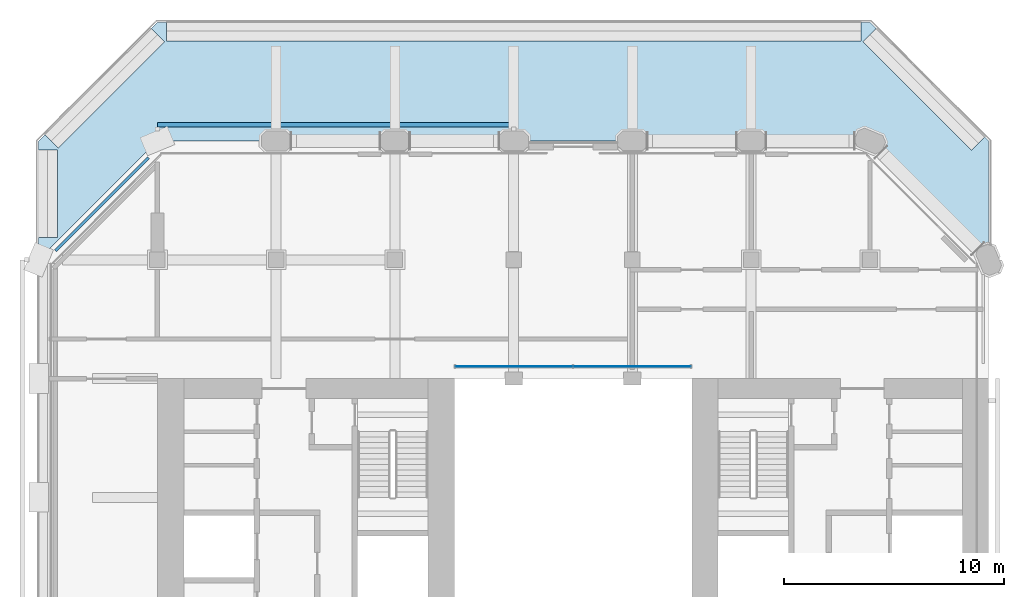
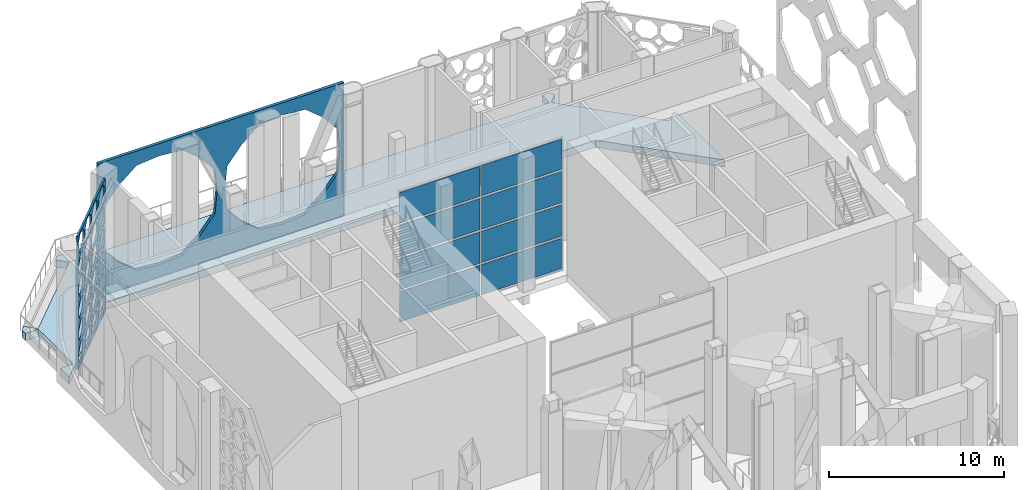
# One storey, part 7 of 28: 10 plates, 1 slab, 1 element without a shape of its own.
"""IFC4 building model written with IfcOpenShell, lengths in metres."""

import ifcopenshell
import ifcopenshell.guid

model = None  # the IFC model being written
_history = None  # IfcOwnerHistory: only IFC2X3 demands one
_inside = {}  # id of a spatial element -> (the spatial element, [elements in it])
_under = {}  # id of a project, library or spatial element -> (it, [spatial elements below it])
_declared = {}  # id of a project -> (the project, [libraries it declares])
_typed = {}  # id of a type object -> (the type object, [elements of that type])
_made_of = {}  # id of a material, layer set ... -> (it, [elements and type objects made of it])


def new_model(schema):
    """Start an empty IFC model of exactly this schema.

    Asked for "IFC4X3", IfcOpenShell would pick the latest addendum, in which some entities
    have other attributes; the version numbers below select the first issue.
    IFC2X3 requires an IfcOwnerHistory on every rooted entity: one is made here for all.
    """
    global model, _history
    if schema == "IFC4X3":
        model = ifcopenshell.file(schema_version=(4, 3, 0, 0))
    else:
        model = ifcopenshell.file(schema=schema)
    _inside.clear()
    _under.clear()
    _declared.clear()
    _typed.clear()
    _made_of.clear()
    _history = None
    if model.schema == "IFC2X3":
        org = make("IfcOrganization", Name="unknown")
        user = make(
            "IfcPersonAndOrganization",
            ThePerson=make("IfcPerson", FamilyName="unknown"),
            TheOrganization=org,
        )
        app = make(
            "IfcApplication",
            ApplicationDeveloper=org,
            Version="unknown",
            ApplicationFullName="unknown",
            ApplicationIdentifier="unknown",
        )
        _history = make(
            "IfcOwnerHistory",
            OwningUser=user,
            OwningApplication=app,
            ChangeAction="ADDED",
            CreationDate=0,
        )
    return model


def make(cls, **values):
    """One entity of the class cls with the attributes given. An attribute that is None is left unset."""
    return model.create_entity(
        cls, **{name: value for name, value in values.items() if value is not None}
    )


def rooted(cls, **values):
    """An entity with a GlobalId (a new one), such as an element, a storey or a relation."""
    return make(cls, GlobalId=ifcopenshell.guid.new(), OwnerHistory=_history, **values)


def si_unit(unit_type, name, prefix=None):
    """IfcSIUnit, for example si_unit("LENGTHUNIT", "METRE", prefix="MILLI")."""
    return make("IfcSIUnit", UnitType=unit_type, Prefix=prefix, Name=name)


def assignment(units):
    """IfcUnitAssignment: the units of a project."""
    return None if units is None else make("IfcUnitAssignment", Units=units)


def point(xyz):
    """IfcCartesianPoint."""
    return None if xyz is None else make("IfcCartesianPoint", Coordinates=xyz)


def direction(xyz):
    """IfcDirection."""
    return None if xyz is None else make("IfcDirection", DirectionRatios=xyz)


def frame(location, z_axis=None, x_axis=None):
    """IfcAxis2Placement3D, a coordinate frame: its origin and axes. An axis left out is left unset."""
    return make(
        "IfcAxis2Placement3D",
        Location=point(location),
        Axis=direction(z_axis),
        RefDirection=direction(x_axis),
    )


def frame_2d(location, x_axis=None):
    """IfcAxis2Placement2D, a coordinate frame in the plane: its origin and x axis."""
    return make(
        "IfcAxis2Placement2D", Location=point(location), RefDirection=direction(x_axis)
    )


def origin():
    """The frame at (0, 0, 0) with its axes left unset."""
    return frame((0.0, 0.0, 0.0))


def origin_2d():
    """The frame at (0, 0) in the plane with its x axis left unset."""
    return frame_2d((0.0, 0.0))


def place(relative_to, where):
    """IfcLocalPlacement: puts the frame where relative to a parent placement (None: the world)."""
    return make(
        "IfcLocalPlacement", PlacementRelTo=relative_to, RelativePlacement=where
    )


def context(
    kind, dimensions, precision=None, world=None, true_north=None, identifier=None
):
    """IfcGeometricRepresentationContext, for example the 3D "Model" context."""
    return make(
        "IfcGeometricRepresentationContext",
        ContextIdentifier=identifier,
        ContextType=kind,
        CoordinateSpaceDimension=dimensions,
        Precision=precision,
        WorldCoordinateSystem=world,
        TrueNorth=true_north,
    )


def subcontext(parent, identifier, kind, view, scale=None):
    """IfcGeometricRepresentationSubContext, for example "Body" below "Model"."""
    return make(
        "IfcGeometricRepresentationSubContext",
        ContextIdentifier=identifier,
        ContextType=kind,
        ParentContext=parent,
        TargetScale=scale,
        TargetView=view,
    )


def project(units=None, contexts=None):
    """IfcProject with its units and contexts."""
    return rooted(
        "IfcProject",
        Name="project",
        RepresentationContexts=contexts,
        UnitsInContext=assignment(units),
    )


def spatial(cls, under=None, at=None, **own):
    """A site, building, storey or space (cls), placed at a placement, below another one or the project."""
    s = rooted(cls, ObjectPlacement=at, **own)
    if under is not None:
        _under.setdefault(under.id(), (under, []))[1].append(s)
    return s


def polyline(points):
    """IfcPolyline through the points."""
    return make("IfcPolyline", Points=[point(p) for p in points])


def profile(cls, at=None, kind="AREA", **sizes):
    """A parametric profile (cls). Its sizes go by their IFC names, for example OverallWidth=200.0."""
    return make(cls, ProfileType=kind, Position=at, **sizes)


def rectangle(**sizes):
    """IfcRectangleProfileDef."""
    return profile("IfcRectangleProfileDef", **sizes)


def outline(outer, holes=None, kind="AREA"):
    """IfcArbitraryClosedProfileDef: a profile drawn as a closed curve; with holes, ...WithVoids."""
    if holes is None:
        return make("IfcArbitraryClosedProfileDef", ProfileType=kind, OuterCurve=outer)
    return make(
        "IfcArbitraryProfileDefWithVoids",
        ProfileType=kind,
        OuterCurve=outer,
        InnerCurves=holes,
    )


def extrude(swept, where, along, depth):
    """IfcExtrudedAreaSolid: the profile swept, set in the frame where, extruded along a direction by depth."""
    return make(
        "IfcExtrudedAreaSolid",
        SweptArea=swept,
        Position=where,
        ExtrudedDirection=direction(along),
        Depth=depth,
    )


def shape(context_of_items, identifier, shape_type, items):
    """IfcShapeRepresentation: the items that make up one representation, for example the "Body"."""
    return make(
        "IfcShapeRepresentation",
        ContextOfItems=context_of_items,
        RepresentationIdentifier=identifier,
        RepresentationType=shape_type,
        Items=items,
    )


def material(Name=None, Category=None):
    """IfcMaterial."""
    return make("IfcMaterial", Name=Name, Category=Category)


def layer(
    of_material, thickness, ventilated=None, Name=None, Category=None, Priority=None
):
    """IfcMaterialLayer: one layer of a wall or slab, of a material (None: an air gap)."""
    return make(
        "IfcMaterialLayer",
        Material=of_material,
        LayerThickness=thickness,
        IsVentilated=ventilated,
        Name=Name,
        Category=Category,
        Priority=Priority,
    )


def layer_set(layers, Name=None):
    """IfcMaterialLayerSet."""
    return make("IfcMaterialLayerSet", MaterialLayers=layers, LayerSetName=Name)


def made_of(thing, what):
    """Note that an element or type object is made of a material, layer set ...; save() writes the relation."""
    if what is not None:
        _made_of.setdefault(what.id(), (what, []))[1].append(thing)
    return thing


def type_object(cls, material=None, **own):
    """A type object (cls), such as IfcWallType, which elements share."""
    return made_of(rooted(cls, **own), material)


def element(
    cls,
    number,
    at=None,
    inside=None,
    cuts=None,
    type_object=None,
    material=None,
    context=None,
    identifier="Body",
    shape_type=None,
    held_by="IfcProductDefinitionShape",
    body=None,
    shapes=None,
    **own,
):
    """One element of the class cls, such as IfcWall. Its Tag is "e" and its number.

    at: its placement. inside: the storey or other place that contains it. cuts: it is an
    opening in that element (IfcRelVoidsElement). A single representation is given by context,
    identifier, shape_type and body (its items); several are given by shapes. held_by: the class
    of the entity that holds the representations. save() writes the other relations.
    """
    e = rooted(cls, Tag="e%d" % number, ObjectPlacement=at, **own)
    if body is not None:
        shapes = [shape(context, identifier, shape_type, body)]
    if shapes is not None:
        e.Representation = make(held_by, Representations=shapes)
    if inside is not None:
        _inside.setdefault(inside.id(), (inside, []))[1].append(e)
    if cuts is not None:
        rooted(
            "IfcRelVoidsElement", RelatingBuildingElement=cuts, RelatedOpeningElement=e
        )
    if type_object is not None:
        _typed.setdefault(type_object.id(), (type_object, []))[1].append(e)
    return made_of(e, material)


def aggregate(whole, parts):
    """IfcRelAggregates: a whole, such as a stair, and the parts it consists of."""
    return rooted("IfcRelAggregates", RelatingObject=whole, RelatedObjects=parts)


def save(model, path):
    """Write the relations noted so far, then the file.

    IfcRelAggregates (storeys below a building ...), IfcRelContainedInSpatialStructure (elements
    in a storey), IfcRelDefinesByType, IfcRelAssociatesMaterial and IfcRelDeclares: one each for
    every whole, place, type object, material and project.
    """
    for whole, parts in _under.values():
        aggregate(whole, parts)
    for where, things in _inside.values():
        rooted(
            "IfcRelContainedInSpatialStructure",
            RelatedElements=things,
            RelatingStructure=where,
        )
    for kind, things in _typed.values():
        rooted("IfcRelDefinesByType", RelatedObjects=things, RelatingType=kind)
    for what, things in _made_of.values():
        rooted("IfcRelAssociatesMaterial", RelatedObjects=things, RelatingMaterial=what)
    for by, libraries in _declared.values():
        rooted("IfcRelDeclares", RelatingContext=by, RelatedDefinitions=libraries)
    model.write(path)


model = new_model("IFC4")

# Units and contexts
model_context = context("Model", 3, precision=1e-05, world=origin(), true_north=direction((0.0, 1.0)))
body_context = subcontext(model_context, "Body", "Model", "MODEL_VIEW")
ifc_project = project(units=[si_unit("LENGTHUNIT", "METRE"), si_unit("AREAUNIT", "SQUARE_METRE"), si_unit("VOLUMEUNIT", "CUBIC_METRE"), si_unit("PLANEANGLEUNIT", "RADIAN"), si_unit("MASSUNIT", "GRAM", prefix="KILO")], contexts=[model_context])

# Site, building, storey
site_placement = place(None, origin())
site = spatial("IfcSite", under=ifc_project, at=site_placement, CompositionType="ELEMENT")
building_placement = place(site_placement, origin())
building = spatial("IfcBuilding", under=site, at=building_placement, Name="Tabaq Tower and Sports Hall", CompositionType="ELEMENT")
storey_placement = place(building_placement, frame((0.0, 0.0, 233.5)))
storey = spatial("IfcBuildingStorey", under=building, at=storey_placement, Name="L59", CompositionType="ELEMENT", Elevation=233.5)

# Curtain wall, plates
ifc_material_1 = material(Name="Aluminium alloy 6063-T6 framed glazing", Category="aluminium")
curtain_wall_type = type_object("IfcCurtainWallType", Name="CW1 curtain wall", PredefinedType="USERDEFINED", material=ifc_material_1)
curtain_wall_placement = place(storey_placement, origin())
curtain_wall = element("IfcCurtainWall", 1, at=curtain_wall_placement, inside=storey, type_object=curtain_wall_type, Name="Atrium glazing L59 N", ObjectType="ATRIUM ENCLOSURE", PredefinedType="USERDEFINED")
ifc_material_2 = material(Name="Clear low-emissivity glass 28 mm", Category="glass")
ifc_layer_1 = layer(ifc_material_2, 0.028076171875)
ifc_layer_set_1 = layer_set([ifc_layer_1], Name="CW1 glass panel 28")
plate_type_1 = type_object("IfcPlateType", Name="CW1 glass panel 28", PredefinedType="CURTAIN_PANEL", material=ifc_layer_set_1)
plate_1_placement = place(storey_placement, frame((21.614990234375, 32.949951171875, 0.14013671875), z_axis=(0.0, 0.0, 1.0), x_axis=(1.0, 0.0, 0.0)))
plate_1 = element("IfcPlate", 2, at=plate_1_placement, type_object=plate_type_1, Name="CW1 panel 1.1", PredefinedType="CURTAIN_PANEL", context=body_context, shape_type="SweptSolid", body=[
    extrude(rectangle(XDim=5.31005859375, YDim=0.028076171875, at=origin_2d()), origin(), (0.0, 0.0, 1.0), 2.114990234375),
])
plate_2_placement = place(storey_placement, frame((21.614990234375, 32.949951171875, 2.39501953125), z_axis=(0.0, 0.0, 1.0), x_axis=(1.0, 0.0, 0.0)))
plate_2 = element("IfcPlate", 3, at=plate_2_placement, type_object=plate_type_1, Name="CW1 panel 1.2", PredefinedType="CURTAIN_PANEL", context=body_context, shape_type="SweptSolid", body=[
    extrude(rectangle(XDim=5.31005859375, YDim=0.028076171875, at=origin_2d()), origin(), (0.0, 0.0, 1.0), 2.18505859375),
])
plate_3_placement = place(storey_placement, frame((21.614990234375, 32.949951171875, 4.719970703125), z_axis=(0.0, 0.0, 1.0), x_axis=(1.0, 0.0, 0.0)))
plate_3 = element("IfcPlate", 4, at=plate_3_placement, type_object=plate_type_1, Name="CW1 panel 1.3", PredefinedType="CURTAIN_PANEL", context=body_context, shape_type="SweptSolid", body=[
    extrude(rectangle(XDim=5.31005859375, YDim=0.028076171875, at=origin_2d()), origin(), (0.0, 0.0, 1.0), 2.18505859375),
])
plate_4_placement = place(storey_placement, frame((21.614990234375, 32.949951171875, 7.044921875), z_axis=(0.0, 0.0, 1.0), x_axis=(1.0, 0.0, 0.0)))
plate_4 = element("IfcPlate", 5, at=plate_4_placement, type_object=plate_type_1, Name="CW1 panel 1.4", PredefinedType="CURTAIN_PANEL", context=body_context, shape_type="SweptSolid", body=[
    extrude(rectangle(XDim=5.31005859375, YDim=0.028076171875, at=origin_2d()), origin(), (0.0, 0.0, 1.0), 2.114990234375),
])
plate_5_placement = place(storey_placement, frame((26.985107421875, 32.949951171875, 0.14013671875), z_axis=(0.0, 0.0, 1.0), x_axis=(1.0, 0.0, 0.0)))
plate_5 = element("IfcPlate", 6, at=plate_5_placement, type_object=plate_type_1, Name="CW1 panel 2.1", PredefinedType="CURTAIN_PANEL", context=body_context, shape_type="SweptSolid", body=[
    extrude(rectangle(XDim=5.31005859375, YDim=0.028076171875, at=origin_2d()), origin(), (0.0, 0.0, 1.0), 2.114990234375),
])
plate_6_placement = place(storey_placement, frame((26.985107421875, 32.949951171875, 2.39501953125), z_axis=(0.0, 0.0, 1.0), x_axis=(1.0, 0.0, 0.0)))
plate_6 = element("IfcPlate", 7, at=plate_6_placement, type_object=plate_type_1, Name="CW1 panel 2.2", PredefinedType="CURTAIN_PANEL", context=body_context, shape_type="SweptSolid", body=[
    extrude(rectangle(XDim=5.31005859375, YDim=0.028076171875, at=origin_2d()), origin(), (0.0, 0.0, 1.0), 2.18505859375),
])
plate_7_placement = place(storey_placement, frame((26.985107421875, 32.949951171875, 4.719970703125), z_axis=(0.0, 0.0, 1.0), x_axis=(1.0, 0.0, 0.0)))
plate_7 = element("IfcPlate", 8, at=plate_7_placement, type_object=plate_type_1, Name="CW1 panel 2.3", PredefinedType="CURTAIN_PANEL", context=body_context, shape_type="SweptSolid", body=[
    extrude(rectangle(XDim=5.31005859375, YDim=0.028076171875, at=origin_2d()), origin(), (0.0, 0.0, 1.0), 2.18505859375),
])
plate_8_placement = place(storey_placement, frame((26.985107421875, 32.949951171875, 7.044921875), z_axis=(0.0, 0.0, 1.0), x_axis=(1.0, 0.0, 0.0)))
plate_8 = element("IfcPlate", 9, at=plate_8_placement, type_object=plate_type_1, Name="CW1 panel 2.4", PredefinedType="CURTAIN_PANEL", context=body_context, shape_type="SweptSolid", body=[
    extrude(rectangle(XDim=5.31005859375, YDim=0.028076171875, at=origin_2d()), origin(), (0.0, 0.0, 1.0), 2.114990234375),
])
aggregate(curtain_wall, [plate_1, plate_2, plate_3, plate_4, plate_5, plate_6, plate_7, plate_8])

# Slab
ifc_material_3 = material(Name="Concrete C40/50", Category="concrete")
ifc_layer_2 = layer(ifc_material_3, 0.5)
ifc_layer_set_2 = layer_set([ifc_layer_2], Name="PT TERRACE SLAB 500 C40/50")
slab_type = type_object("IfcSlabType", Name="PT TERRACE SLAB 500 C40/50", PredefinedType="FLOOR", material=ifc_layer_set_2)
slab_placement = place(storey_placement, frame((0.0, 0.0, -0.5)))
element("IfcSlab", 10, at=slab_placement, inside=storey, type_object=slab_type, Name="Terrace Slab L59", PredefinedType="FLOOR", context=body_context, shape_type="SweptSolid", body=[
    extrude(outline(polyline([(5.802001953125, 48.60009765625), (5.39990234375, 48.60009765625), (5.11572265625, 48.315673828125), (5.64599609375, 47.785400390625), (5.716796875, 47.714599609375), (0.88525390625, 42.88330078125), (0.284423828125, 43.484375), (0.0, 43.199951171875), (0.0, 42.7978515625), (0.75, 42.7978515625), (0.85009765625, 42.7978515625), (0.85009765625, 38.81201171875), (0.75, 38.81201171875), (0.0, 38.81201171875), (0.0, 37.800048828125), (5.39990234375, 43.199951171875), (37.800048828125, 43.199951171875), (43.199951171875, 37.800048828125), (43.199951171875, 43.199951171875), (43.023193359375, 43.376708984375), (42.492919921875, 42.846435546875), (42.422119140625, 42.775634765625), (37.483154296875, 47.714599609375), (37.553955078125, 47.785400390625), (38.084228515625, 48.315673828125), (37.800048828125, 48.60009765625), (37.39794921875, 48.60009765625), (37.39794921875, 47.85009765625), (37.39794921875, 47.75), (5.802001953125, 47.75), (5.802001953125, 47.85009765625), (5.802001953125, 48.60009765625)])), origin(), (0.0, 0.0, 1.0), 0.5),
])

# Plates
ifc_material_4 = material(Name="White precast concrete C60/75 pierced screen", Category="concrete")
ifc_layer_3 = layer(ifc_material_4, 0.199951171875)
ifc_layer_set_3 = layer_set([ifc_layer_3], Name="White precast concrete C60/75 girih screen 200")
plate_type_2 = type_object("IfcPlateType", Name="White precast concrete C60/75 girih screen 200", PredefinedType="USERDEFINED", material=ifc_layer_set_3)
plate_9_placement = place(storey_placement, frame((21.60009765625, 43.949951171875, 0.0), z_axis=(0.0, 0.0, 1.0), x_axis=(-1.0, 0.0, 0.0)))
element("IfcPlate", 11, at=plate_9_placement, inside=storey, type_object=plate_type_2, Name="Girih screen L59 N", ObjectType="SCREEN", PredefinedType="USERDEFINED", context=body_context, shape_type="SweptSolid", body=[
    extrude(outline(polyline([(0.0, 0.0), (16.2001953125, 0.0), (16.2001953125, 9.300048828125), (0.0, 9.300048828125), (0.0, 0.0)]), holes=[polyline([(7.701904296875, 6.16259765625), (6.733154296875, 7.333251953125), (5.562744140625, 8.302001953125), (4.050048828125, 8.444580078125), (2.537353515625, 8.302001953125), (1.36669921875, 7.333251953125), (0.398193359375, 6.16259765625), (0.25537109375, 4.64990234375), (0.398193359375, 3.13720703125), (1.36669921875, 1.966796875), (2.537353515625, 0.998046875), (4.050048828125, 0.855224609375), (5.562744140625, 0.998046875), (6.733154296875, 1.966796875), (7.701904296875, 3.13720703125), (7.8447265625, 4.64990234375), (7.701904296875, 6.16259765625)]), polyline([(15.802001953125, 6.16259765625), (14.833251953125, 7.333251953125), (13.66259765625, 8.302001953125), (12.14990234375, 8.444580078125), (10.63720703125, 8.302001953125), (9.466796875, 7.333251953125), (8.498046875, 6.16259765625), (8.355224609375, 4.64990234375), (8.498046875, 3.13720703125), (9.466796875, 1.966796875), (10.63720703125, 0.998046875), (12.14990234375, 0.855224609375), (13.66259765625, 0.998046875), (14.833251953125, 1.966796875), (15.802001953125, 3.13720703125), (15.944580078125, 4.64990234375), (15.802001953125, 6.16259765625)])]), frame((0.0, 0.10009765625, 0.0), z_axis=(0.0, -1.0, 0.0), x_axis=(1.0, 0.0, 0.0)), (0.0, 0.0, 1.0), 0.199951171875),
])
ifc_material_5 = material(Name="White precast concrete C60/75 pierced screen", Category="concrete")
ifc_layer_4 = layer(ifc_material_5, 0.1201171875)
ifc_layer_set_4 = layer_set([ifc_layer_4], Name="White precast concrete C60/75 screen 120")
plate_type_3 = type_object("IfcPlateType", Name="White precast concrete C60/75 screen 120", PredefinedType="USERDEFINED", material=ifc_layer_set_4)
plate_10_placement = place(storey_placement, frame((4.993408203125, 42.43994140625, 0.0), z_axis=(0.0, 0.0, 1.0), x_axis=(-0.707086390836, -0.707127170949, 0.0)))
element("IfcPlate", 12, at=plate_10_placement, inside=storey, type_object=plate_type_3, Name="Pierced screen L59 NW", ObjectType="SCREEN", PredefinedType="USERDEFINED", context=body_context, shape_type="SweptSolid", body=[
    extrude(outline(polyline([(0.0, 0.0), (5.98681640625, 0.0), (5.98681640625, 9.300048828125), (0.0, 9.300048828125), (0.0, 0.0)]), holes=[polyline([(1.423095703125, 1.09619140625), (1.213134765625, 1.281494140625), (1.02783203125, 1.491455078125), (0.748291015625, 1.47412109375), (0.46875, 1.491455078125), (0.283447265625, 1.281494140625), (0.073486328125, 1.09619140625), (0.091064453125, 0.816650390625), (0.073486328125, 0.537109375), (0.283447265625, 0.351806640625), (0.46875, 0.141845703125), (0.748291015625, 0.159423828125), (1.02783203125, 0.141845703125), (1.213134765625, 0.351806640625), (1.423095703125, 0.537109375), (1.40576171875, 0.816650390625), (1.423095703125, 1.09619140625)]), polyline([(1.423095703125, 2.62939453125), (1.213134765625, 2.814697265625), (1.02783203125, 3.02490234375), (0.748291015625, 3.00732421875), (0.46875, 3.02490234375), (0.283447265625, 2.814697265625), (0.073486328125, 2.62939453125), (0.091064453125, 2.35009765625), (0.073486328125, 2.070556640625), (0.283447265625, 1.88525390625), (0.46875, 1.67529296875), (0.748291015625, 1.692626953125), (1.02783203125, 1.67529296875), (1.213134765625, 1.88525390625), (1.423095703125, 2.070556640625), (1.40576171875, 2.35009765625), (1.423095703125, 2.62939453125)]), polyline([(1.423095703125, 4.162841796875), (1.213134765625, 4.34814453125), (1.02783203125, 4.55810546875), (0.748291015625, 4.540771484375), (0.46875, 4.55810546875), (0.283447265625, 4.34814453125), (0.073486328125, 4.162841796875), (0.091064453125, 3.88330078125), (0.073486328125, 3.603759765625), (0.283447265625, 3.41845703125), (0.46875, 3.20849609375), (0.748291015625, 3.22607421875), (1.02783203125, 3.20849609375), (1.213134765625, 3.41845703125), (1.423095703125, 3.603759765625), (1.40576171875, 3.88330078125), (1.423095703125, 4.162841796875)]), polyline([(1.423095703125, 5.6962890625), (1.213134765625, 5.881591796875), (1.02783203125, 6.091552734375), (0.748291015625, 6.073974609375), (0.46875, 6.091552734375), (0.283447265625, 5.881591796875), (0.073486328125, 5.6962890625), (0.091064453125, 5.416748046875), (0.073486328125, 5.13720703125), (0.283447265625, 4.951904296875), (0.46875, 4.741943359375), (0.748291015625, 4.75927734375), (1.02783203125, 4.741943359375), (1.213134765625, 4.951904296875), (1.423095703125, 5.13720703125), (1.40576171875, 5.416748046875), (1.423095703125, 5.6962890625)]), polyline([(1.423095703125, 7.2294921875), (1.213134765625, 7.414794921875), (1.02783203125, 7.624755859375), (0.748291015625, 7.607421875), (0.46875, 7.624755859375), (0.283447265625, 7.414794921875), (0.073486328125, 7.2294921875), (0.091064453125, 6.949951171875), (0.073486328125, 6.67041015625), (0.283447265625, 6.485107421875), (0.46875, 6.275146484375), (0.748291015625, 6.292724609375), (1.02783203125, 6.275146484375), (1.213134765625, 6.485107421875), (1.423095703125, 6.67041015625), (1.40576171875, 6.949951171875), (1.423095703125, 7.2294921875)]), polyline([(1.423095703125, 8.762939453125), (1.213134765625, 8.9482421875), (1.02783203125, 9.158203125), (0.748291015625, 9.140625), (0.46875, 9.158203125), (0.283447265625, 8.9482421875), (0.073486328125, 8.762939453125), (0.091064453125, 8.4833984375), (0.073486328125, 8.203857421875), (0.283447265625, 8.0185546875), (0.46875, 7.80859375), (0.748291015625, 7.825927734375), (1.02783203125, 7.80859375), (1.213134765625, 8.0185546875), (1.423095703125, 8.203857421875), (1.40576171875, 8.4833984375), (1.423095703125, 8.762939453125)]), polyline([(2.919921875, 1.09619140625), (2.7099609375, 1.281494140625), (2.524658203125, 1.491455078125), (2.2451171875, 1.47412109375), (1.965576171875, 1.491455078125), (1.7802734375, 1.281494140625), (1.5703125, 1.09619140625), (1.587646484375, 0.816650390625), (1.5703125, 0.537109375), (1.7802734375, 0.351806640625), (1.965576171875, 0.141845703125), (2.2451171875, 0.159423828125), (2.524658203125, 0.141845703125), (2.7099609375, 0.351806640625), (2.919921875, 0.537109375), (2.90234375, 0.816650390625), (2.919921875, 1.09619140625)]), polyline([(2.919921875, 2.62939453125), (2.7099609375, 2.814697265625), (2.524658203125, 3.02490234375), (2.2451171875, 3.00732421875), (1.965576171875, 3.02490234375), (1.7802734375, 2.814697265625), (1.5703125, 2.62939453125), (1.587646484375, 2.35009765625), (1.5703125, 2.070556640625), (1.7802734375, 1.88525390625), (1.965576171875, 1.67529296875), (2.2451171875, 1.692626953125), (2.524658203125, 1.67529296875), (2.7099609375, 1.88525390625), (2.919921875, 2.070556640625), (2.90234375, 2.35009765625), (2.919921875, 2.62939453125)]), polyline([(2.919921875, 4.162841796875), (2.7099609375, 4.34814453125), (2.524658203125, 4.55810546875), (2.2451171875, 4.540771484375), (1.965576171875, 4.55810546875), (1.7802734375, 4.34814453125), (1.5703125, 4.162841796875), (1.587646484375, 3.88330078125), (1.5703125, 3.603759765625), (1.7802734375, 3.41845703125), (1.965576171875, 3.20849609375), (2.2451171875, 3.22607421875), (2.524658203125, 3.20849609375), (2.7099609375, 3.41845703125), (2.919921875, 3.603759765625), (2.90234375, 3.88330078125), (2.919921875, 4.162841796875)]), polyline([(2.919921875, 5.6962890625), (2.7099609375, 5.881591796875), (2.524658203125, 6.091552734375), (2.2451171875, 6.073974609375), (1.965576171875, 6.091552734375), (1.7802734375, 5.881591796875), (1.5703125, 5.6962890625), (1.587646484375, 5.416748046875), (1.5703125, 5.13720703125), (1.7802734375, 4.951904296875), (1.965576171875, 4.741943359375), (2.2451171875, 4.75927734375), (2.524658203125, 4.741943359375), (2.7099609375, 4.951904296875), (2.919921875, 5.13720703125), (2.90234375, 5.416748046875), (2.919921875, 5.6962890625)]), polyline([(2.919921875, 7.2294921875), (2.7099609375, 7.414794921875), (2.524658203125, 7.624755859375), (2.2451171875, 7.607421875), (1.965576171875, 7.624755859375), (1.7802734375, 7.414794921875), (1.5703125, 7.2294921875), (1.587646484375, 6.949951171875), (1.5703125, 6.67041015625), (1.7802734375, 6.485107421875), (1.965576171875, 6.275146484375), (2.2451171875, 6.292724609375), (2.524658203125, 6.275146484375), (2.7099609375, 6.485107421875), (2.919921875, 6.67041015625), (2.90234375, 6.949951171875), (2.919921875, 7.2294921875)]), polyline([(2.919921875, 8.762939453125), (2.7099609375, 8.9482421875), (2.524658203125, 9.158203125), (2.2451171875, 9.140625), (1.965576171875, 9.158203125), (1.7802734375, 8.9482421875), (1.5703125, 8.762939453125), (1.587646484375, 8.4833984375), (1.5703125, 8.203857421875), (1.7802734375, 8.0185546875), (1.965576171875, 7.80859375), (2.2451171875, 7.825927734375), (2.524658203125, 7.80859375), (2.7099609375, 8.0185546875), (2.919921875, 8.203857421875), (2.90234375, 8.4833984375), (2.919921875, 8.762939453125)]), polyline([(4.41650390625, 1.09619140625), (4.20654296875, 1.281494140625), (4.021240234375, 1.491455078125), (3.74169921875, 1.47412109375), (3.462158203125, 1.491455078125), (3.27685546875, 1.281494140625), (3.06689453125, 1.09619140625), (3.08447265625, 0.816650390625), (3.06689453125, 0.537109375), (3.27685546875, 0.351806640625), (3.462158203125, 0.141845703125), (3.74169921875, 0.159423828125), (4.021240234375, 0.141845703125), (4.20654296875, 0.351806640625), (4.41650390625, 0.537109375), (4.399169921875, 0.816650390625), (4.41650390625, 1.09619140625)]), polyline([(4.41650390625, 2.62939453125), (4.20654296875, 2.814697265625), (4.021240234375, 3.02490234375), (3.74169921875, 3.00732421875), (3.462158203125, 3.02490234375), (3.27685546875, 2.814697265625), (3.06689453125, 2.62939453125), (3.08447265625, 2.35009765625), (3.06689453125, 2.070556640625), (3.27685546875, 1.88525390625), (3.462158203125, 1.67529296875), (3.74169921875, 1.692626953125), (4.021240234375, 1.67529296875), (4.20654296875, 1.88525390625), (4.41650390625, 2.070556640625), (4.399169921875, 2.35009765625), (4.41650390625, 2.62939453125)]), polyline([(4.41650390625, 4.162841796875), (4.20654296875, 4.34814453125), (4.021240234375, 4.55810546875), (3.74169921875, 4.540771484375), (3.462158203125, 4.55810546875), (3.27685546875, 4.34814453125), (3.06689453125, 4.162841796875), (3.08447265625, 3.88330078125), (3.06689453125, 3.603759765625), (3.27685546875, 3.41845703125), (3.462158203125, 3.20849609375), (3.74169921875, 3.22607421875), (4.021240234375, 3.20849609375), (4.20654296875, 3.41845703125), (4.41650390625, 3.603759765625), (4.399169921875, 3.88330078125), (4.41650390625, 4.162841796875)]), polyline([(4.41650390625, 5.6962890625), (4.20654296875, 5.881591796875), (4.021240234375, 6.091552734375), (3.74169921875, 6.073974609375), (3.462158203125, 6.091552734375), (3.27685546875, 5.881591796875), (3.06689453125, 5.6962890625), (3.08447265625, 5.416748046875), (3.06689453125, 5.13720703125), (3.27685546875, 4.951904296875), (3.462158203125, 4.741943359375), (3.74169921875, 4.75927734375), (4.021240234375, 4.741943359375), (4.20654296875, 4.951904296875), (4.41650390625, 5.13720703125), (4.399169921875, 5.416748046875), (4.41650390625, 5.6962890625)]), polyline([(4.41650390625, 7.2294921875), (4.20654296875, 7.414794921875), (4.021240234375, 7.624755859375), (3.74169921875, 7.607421875), (3.462158203125, 7.624755859375), (3.27685546875, 7.414794921875), (3.06689453125, 7.2294921875), (3.08447265625, 6.949951171875), (3.06689453125, 6.67041015625), (3.27685546875, 6.485107421875), (3.462158203125, 6.275146484375), (3.74169921875, 6.292724609375), (4.021240234375, 6.275146484375), (4.20654296875, 6.485107421875), (4.41650390625, 6.67041015625), (4.399169921875, 6.949951171875), (4.41650390625, 7.2294921875)]), polyline([(4.41650390625, 8.762939453125), (4.20654296875, 8.9482421875), (4.021240234375, 9.158203125), (3.74169921875, 9.140625), (3.462158203125, 9.158203125), (3.27685546875, 8.9482421875), (3.06689453125, 8.762939453125), (3.08447265625, 8.4833984375), (3.06689453125, 8.203857421875), (3.27685546875, 8.0185546875), (3.462158203125, 7.80859375), (3.74169921875, 7.825927734375), (4.021240234375, 7.80859375), (4.20654296875, 8.0185546875), (4.41650390625, 8.203857421875), (4.399169921875, 8.4833984375), (4.41650390625, 8.762939453125)]), polyline([(5.9130859375, 1.09619140625), (5.703125, 1.281494140625), (5.517822265625, 1.491455078125), (5.238525390625, 1.47412109375), (4.958984375, 1.491455078125), (4.773681640625, 1.281494140625), (4.563720703125, 1.09619140625), (4.5810546875, 0.816650390625), (4.563720703125, 0.537109375), (4.773681640625, 0.351806640625), (4.958984375, 0.141845703125), (5.238525390625, 0.159423828125), (5.517822265625, 0.141845703125), (5.703125, 0.351806640625), (5.9130859375, 0.537109375), (5.895751953125, 0.816650390625), (5.9130859375, 1.09619140625)]), polyline([(5.9130859375, 2.62939453125), (5.703125, 2.814697265625), (5.517822265625, 3.02490234375), (5.238525390625, 3.00732421875), (4.958984375, 3.02490234375), (4.773681640625, 2.814697265625), (4.563720703125, 2.62939453125), (4.5810546875, 2.35009765625), (4.563720703125, 2.070556640625), (4.773681640625, 1.88525390625), (4.958984375, 1.67529296875), (5.238525390625, 1.692626953125), (5.517822265625, 1.67529296875), (5.703125, 1.88525390625), (5.9130859375, 2.070556640625), (5.895751953125, 2.35009765625), (5.9130859375, 2.62939453125)]), polyline([(5.9130859375, 4.162841796875), (5.703125, 4.34814453125), (5.517822265625, 4.55810546875), (5.238525390625, 4.540771484375), (4.958984375, 4.55810546875), (4.773681640625, 4.34814453125), (4.563720703125, 4.162841796875), (4.5810546875, 3.88330078125), (4.563720703125, 3.603759765625), (4.773681640625, 3.41845703125), (4.958984375, 3.20849609375), (5.238525390625, 3.22607421875), (5.517822265625, 3.20849609375), (5.703125, 3.41845703125), (5.9130859375, 3.603759765625), (5.895751953125, 3.88330078125), (5.9130859375, 4.162841796875)]), polyline([(5.9130859375, 5.6962890625), (5.703125, 5.881591796875), (5.517822265625, 6.091552734375), (5.238525390625, 6.073974609375), (4.958984375, 6.091552734375), (4.773681640625, 5.881591796875), (4.563720703125, 5.6962890625), (4.5810546875, 5.416748046875), (4.563720703125, 5.13720703125), (4.773681640625, 4.951904296875), (4.958984375, 4.741943359375), (5.238525390625, 4.75927734375), (5.517822265625, 4.741943359375), (5.703125, 4.951904296875), (5.9130859375, 5.13720703125), (5.895751953125, 5.416748046875), (5.9130859375, 5.6962890625)]), polyline([(5.9130859375, 7.2294921875), (5.703125, 7.414794921875), (5.517822265625, 7.624755859375), (5.238525390625, 7.607421875), (4.958984375, 7.624755859375), (4.773681640625, 7.414794921875), (4.563720703125, 7.2294921875), (4.5810546875, 6.949951171875), (4.563720703125, 6.67041015625), (4.773681640625, 6.485107421875), (4.958984375, 6.275146484375), (5.238525390625, 6.292724609375), (5.517822265625, 6.275146484375), (5.703125, 6.485107421875), (5.9130859375, 6.67041015625), (5.895751953125, 6.949951171875), (5.9130859375, 7.2294921875)]), polyline([(5.9130859375, 8.762939453125), (5.703125, 8.9482421875), (5.517822265625, 9.158203125), (5.238525390625, 9.140625), (4.958984375, 9.158203125), (4.773681640625, 8.9482421875), (4.563720703125, 8.762939453125), (4.5810546875, 8.4833984375), (4.563720703125, 8.203857421875), (4.773681640625, 8.0185546875), (4.958984375, 7.80859375), (5.238525390625, 7.825927734375), (5.517822265625, 7.80859375), (5.703125, 8.0185546875), (5.9130859375, 8.203857421875), (5.895751953125, 8.4833984375), (5.9130859375, 8.762939453125)]), polyline([(1.796142578125, 1.583251953125), (1.49658203125, 1.882568359375), (1.197265625, 1.583251953125), (1.49658203125, 1.283935546875), (1.796142578125, 1.583251953125)]), polyline([(1.796142578125, 3.11669921875), (1.49658203125, 3.416015625), (1.197265625, 3.11669921875), (1.49658203125, 2.8173828125), (1.796142578125, 3.11669921875)]), polyline([(1.796142578125, 4.64990234375), (1.49658203125, 4.94921875), (1.197265625, 4.64990234375), (1.49658203125, 4.3505859375), (1.796142578125, 4.64990234375)]), polyline([(1.796142578125, 6.183349609375), (1.49658203125, 6.482666015625), (1.197265625, 6.183349609375), (1.49658203125, 5.884033203125), (1.796142578125, 6.183349609375)]), polyline([(1.796142578125, 7.716552734375), (1.49658203125, 8.01611328125), (1.197265625, 7.716552734375), (1.49658203125, 7.417236328125), (1.796142578125, 7.716552734375)]), polyline([(3.292724609375, 1.583251953125), (2.993408203125, 1.882568359375), (2.694091796875, 1.583251953125), (2.993408203125, 1.283935546875), (3.292724609375, 1.583251953125)]), polyline([(3.292724609375, 3.11669921875), (2.993408203125, 3.416015625), (2.694091796875, 3.11669921875), (2.993408203125, 2.8173828125), (3.292724609375, 3.11669921875)]), polyline([(3.292724609375, 4.64990234375), (2.993408203125, 4.94921875), (2.694091796875, 4.64990234375), (2.993408203125, 4.3505859375), (3.292724609375, 4.64990234375)]), polyline([(3.292724609375, 6.183349609375), (2.993408203125, 6.482666015625), (2.694091796875, 6.183349609375), (2.993408203125, 5.884033203125), (3.292724609375, 6.183349609375)]), polyline([(3.292724609375, 7.716552734375), (2.993408203125, 8.01611328125), (2.694091796875, 7.716552734375), (2.993408203125, 7.417236328125), (3.292724609375, 7.716552734375)]), polyline([(4.789306640625, 1.583251953125), (4.489990234375, 1.882568359375), (4.190673828125, 1.583251953125), (4.489990234375, 1.283935546875), (4.789306640625, 1.583251953125)]), polyline([(4.789306640625, 3.11669921875), (4.489990234375, 3.416015625), (4.190673828125, 3.11669921875), (4.489990234375, 2.8173828125), (4.789306640625, 3.11669921875)]), polyline([(4.789306640625, 4.64990234375), (4.489990234375, 4.94921875), (4.190673828125, 4.64990234375), (4.489990234375, 4.3505859375), (4.789306640625, 4.64990234375)]), polyline([(4.789306640625, 6.183349609375), (4.489990234375, 6.482666015625), (4.190673828125, 6.183349609375), (4.489990234375, 5.884033203125), (4.789306640625, 6.183349609375)]), polyline([(4.789306640625, 7.716552734375), (4.489990234375, 8.01611328125), (4.190673828125, 7.716552734375), (4.489990234375, 7.417236328125), (4.789306640625, 7.716552734375)])]), frame((0.0, 0.06005859375, 0.0), z_axis=(0.0, -1.0, 0.0), x_axis=(1.0, 0.0, 0.0)), (0.0, 0.0, 1.0), 0.1201171875),
])

save(model, "model.ifc")
